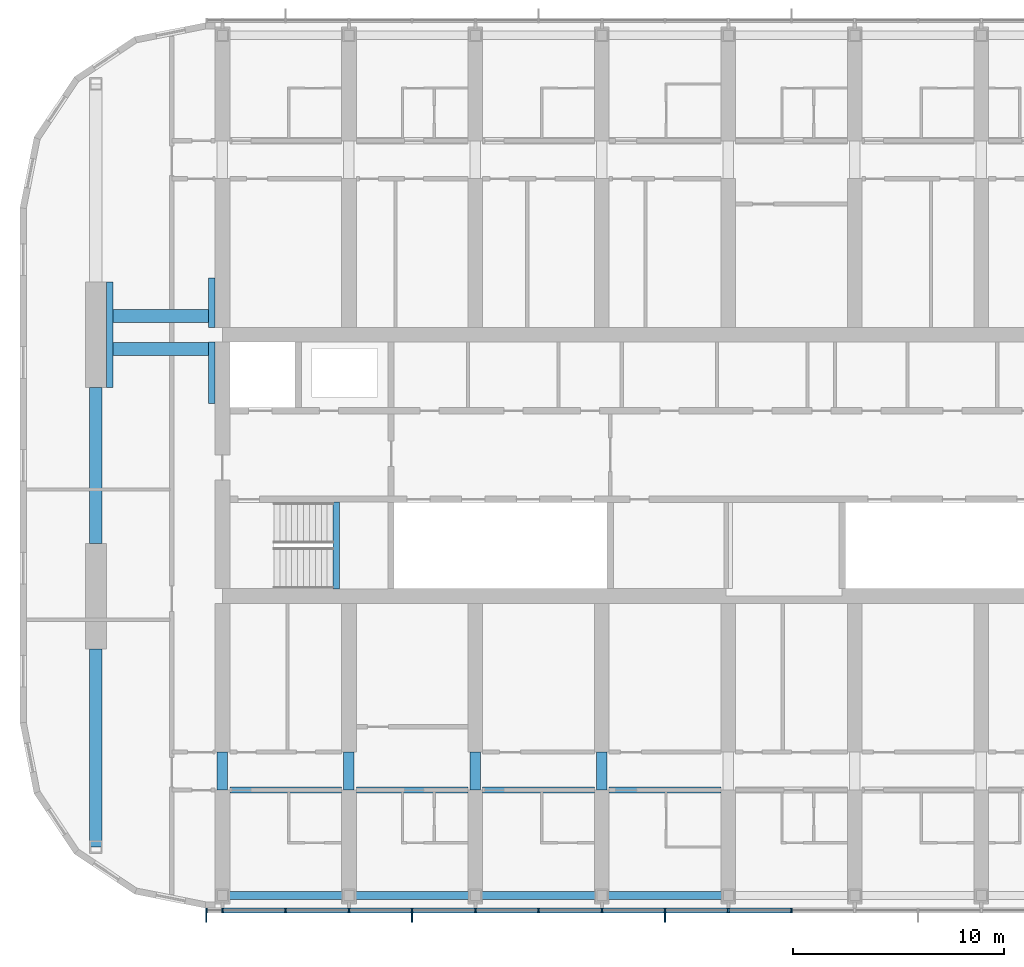
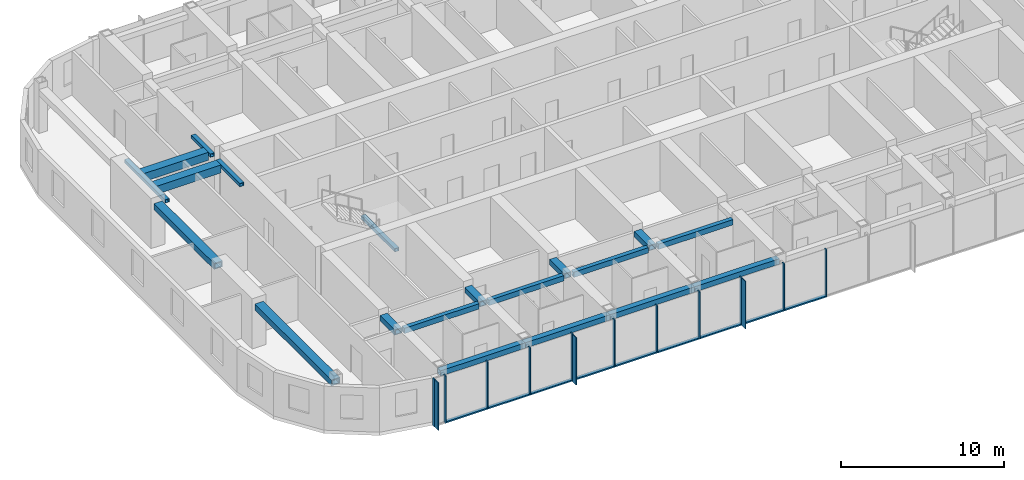
# One storey, part 2 of 23: 23 members, 20 beams, 1 element without a shape of its own.
"""IFC4 building model written with IfcOpenShell, lengths in metres."""

from ifc_helpers import new_model, si_unit, direction, frame, origin, origin_2d, place, context, subcontext, project, spatial, rectangle, hollow_rectangle, extrude, material, material_profile, profile_set, type_object, element, aggregate, save


model = new_model("IFC4")

# Units and contexts
model_context = context("Model", 3, precision=1e-05, world=origin(), true_north=direction((0.0, 1.0)))
body_context = subcontext(model_context, "Body", "Model", "MODEL_VIEW")
ifc_project = project(units=[si_unit("LENGTHUNIT", "METRE"), si_unit("AREAUNIT", "SQUARE_METRE"), si_unit("VOLUMEUNIT", "CUBIC_METRE"), si_unit("PLANEANGLEUNIT", "RADIAN"), si_unit("MASSUNIT", "GRAM", prefix="KILO")], contexts=[model_context])

# Site, building, storey
site_placement = place(None, origin())
site = spatial("IfcSite", under=ifc_project, at=site_placement, CompositionType="ELEMENT")
building_placement = place(site_placement, origin())
building = spatial("IfcBuilding", under=site, at=building_placement, Name="Orbita Commons", CompositionType="ELEMENT")
storey_placement = place(building_placement, frame((0.0, 0.0, 212.800048828125)))
storey = spatial("IfcBuildingStorey", under=building, at=storey_placement, Name="L52", CompositionType="ELEMENT", Elevation=212.800048828125)

# Curtain wall, members
ifc_material_1 = material(Name="Anodised aluminium frame, pale silver", Category="aluminium")
curtain_wall_type = type_object("IfcCurtainWallType", Name="Unitised curtain wall CW-U, full-height vision", PredefinedType="NOTDEFINED", material=ifc_material_1)
curtain_wall_placement = place(storey_placement, origin())
curtain_wall = element("IfcCurtainWall", 1, at=curtain_wall_placement, inside=storey, type_object=curtain_wall_type, Name="Curtain wall south L52", PredefinedType="NOTDEFINED")
ifc_material_2 = material(Name="Anodised aluminium, pale silver", Category="aluminium")
ifc_material_profile_1 = material_profile(ifc_material_2, rectangle(XDim=0.080078125, YDim=0.219970703125, at=origin_2d()), Name="AL 80x220")
ifc_profile_set_1 = profile_set([ifc_material_profile_1], Name="Anodised aluminium, pale silver")
member_type_1 = type_object("IfcMemberType", Name="Curtain wall mullion 80x220", PredefinedType="MULLION", material=ifc_profile_set_1)
member_1_placement = place(storey_placement, frame((17.239990234375, 10.889892578125, -0.25), z_axis=(0.0, 0.0, 1.0), x_axis=(1.0, 0.0, 0.0)))
member_1 = element("IfcMember", 2, at=member_1_placement, type_object=member_type_1, Name="Mullion 1 CW-L52-S", PredefinedType="MULLION", context=body_context, shape_type="SweptSolid", body=[
    extrude(rectangle(XDim=0.080078125, YDim=0.219970703125, at=origin_2d()), origin(), (0.0, 0.0, 1.0), 3.550048828125),
])
member_2_placement = place(storey_placement, frame((18.0, 10.889892578125, -0.25), z_axis=(0.0, 0.0, 1.0), x_axis=(1.0, 0.0, 0.0)))
member_2 = element("IfcMember", 3, at=member_2_placement, type_object=member_type_1, Name="Mullion 2 CW-L52-S", PredefinedType="MULLION", context=body_context, shape_type="SweptSolid", body=[
    extrude(rectangle(XDim=0.080078125, YDim=0.219970703125, at=origin_2d()), origin(), (0.0, 0.0, 1.0), 3.550048828125),
])
member_3_placement = place(storey_placement, frame((21.0, 10.889892578125, -0.25), z_axis=(0.0, 0.0, 1.0), x_axis=(1.0, 0.0, 0.0)))
member_3 = element("IfcMember", 4, at=member_3_placement, type_object=member_type_1, Name="Mullion 3 CW-L52-S", PredefinedType="MULLION", context=body_context, shape_type="SweptSolid", body=[
    extrude(rectangle(XDim=0.080078125, YDim=0.219970703125, at=origin_2d()), origin(), (0.0, 0.0, 1.0), 3.550048828125),
])
member_4_placement = place(storey_placement, frame((24.0, 10.889892578125, -0.25), z_axis=(0.0, 0.0, 1.0), x_axis=(1.0, 0.0, 0.0)))
member_4 = element("IfcMember", 5, at=member_4_placement, type_object=member_type_1, Name="Mullion 4 CW-L52-S", PredefinedType="MULLION", context=body_context, shape_type="SweptSolid", body=[
    extrude(rectangle(XDim=0.080078125, YDim=0.219970703125, at=origin_2d()), origin(), (0.0, 0.0, 1.0), 3.550048828125),
])
member_5_placement = place(storey_placement, frame((27.0, 10.889892578125, -0.25), z_axis=(0.0, 0.0, 1.0), x_axis=(1.0, 0.0, 0.0)))
member_5 = element("IfcMember", 6, at=member_5_placement, type_object=member_type_1, Name="Mullion 5 CW-L52-S", PredefinedType="MULLION", context=body_context, shape_type="SweptSolid", body=[
    extrude(rectangle(XDim=0.080078125, YDim=0.219970703125, at=origin_2d()), origin(), (0.0, 0.0, 1.0), 3.550048828125),
])
member_6_placement = place(storey_placement, frame((30.0, 10.889892578125, -0.25), z_axis=(0.0, 0.0, 1.0), x_axis=(1.0, 0.0, 0.0)))
member_6 = element("IfcMember", 7, at=member_6_placement, type_object=member_type_1, Name="Mullion 6 CW-L52-S", PredefinedType="MULLION", context=body_context, shape_type="SweptSolid", body=[
    extrude(rectangle(XDim=0.080078125, YDim=0.219970703125, at=origin_2d()), origin(), (0.0, 0.0, 1.0), 3.550048828125),
])
member_7_placement = place(storey_placement, frame((33.0, 10.889892578125, -0.25), z_axis=(0.0, 0.0, 1.0), x_axis=(1.0, 0.0, 0.0)))
member_7 = element("IfcMember", 8, at=member_7_placement, type_object=member_type_1, Name="Mullion 7 CW-L52-S", PredefinedType="MULLION", context=body_context, shape_type="SweptSolid", body=[
    extrude(rectangle(XDim=0.080078125, YDim=0.219970703125, at=origin_2d()), origin(), (0.0, 0.0, 1.0), 3.550048828125),
])
member_8_placement = place(storey_placement, frame((36.0, 10.889892578125, -0.25), z_axis=(0.0, 0.0, 1.0), x_axis=(1.0, 0.0, 0.0)))
member_8 = element("IfcMember", 9, at=member_8_placement, type_object=member_type_1, Name="Mullion 8 CW-L52-S", PredefinedType="MULLION", context=body_context, shape_type="SweptSolid", body=[
    extrude(rectangle(XDim=0.080078125, YDim=0.219970703125, at=origin_2d()), origin(), (0.0, 0.0, 1.0), 3.550048828125),
])
member_9_placement = place(storey_placement, frame((39.0, 10.889892578125, -0.25), z_axis=(0.0, 0.0, 1.0), x_axis=(1.0, 0.0, 0.0)))
member_9 = element("IfcMember", 10, at=member_9_placement, type_object=member_type_1, Name="Mullion 9 CW-L52-S", PredefinedType="MULLION", context=body_context, shape_type="SweptSolid", body=[
    extrude(rectangle(XDim=0.080078125, YDim=0.219970703125, at=origin_2d()), origin(), (0.0, 0.0, 1.0), 3.550048828125),
])
member_10_placement = place(storey_placement, frame((42.0, 10.889892578125, -0.25), z_axis=(0.0, 0.0, 1.0), x_axis=(1.0, 0.0, 0.0)))
member_10 = element("IfcMember", 11, at=member_10_placement, type_object=member_type_1, Name="Mullion 10 CW-L52-S", PredefinedType="MULLION", context=body_context, shape_type="SweptSolid", body=[
    extrude(rectangle(XDim=0.080078125, YDim=0.219970703125, at=origin_2d()), origin(), (0.0, 0.0, 1.0), 3.550048828125),
])
member_11_placement = place(storey_placement, frame((45.0, 10.889892578125, -0.25), z_axis=(0.0, 0.0, 1.0), x_axis=(1.0, 0.0, 0.0)))
member_11 = element("IfcMember", 12, at=member_11_placement, type_object=member_type_1, Name="Mullion 11 CW-L52-S", PredefinedType="MULLION", context=body_context, shape_type="SweptSolid", body=[
    extrude(rectangle(XDim=0.080078125, YDim=0.219970703125, at=origin_2d()), origin(), (0.0, 0.0, 1.0), 3.550048828125),
])
ifc_material_3 = material(Name="Anodised aluminium, pale silver", Category="aluminium")
ifc_material_profile_2 = material_profile(ifc_material_3, rectangle(XDim=0.219970703125, YDim=0.10009765625, at=origin_2d()), Name="AL 220x100")
ifc_profile_set_2 = profile_set([ifc_material_profile_2], Name="Anodised aluminium, pale silver")
member_type_2 = type_object("IfcMemberType", Name="Curtain wall stack transom 220x100", PredefinedType="USERDEFINED", material=ifc_profile_set_2)
member_12_placement = place(storey_placement, frame((18.0400390625, 10.889892578125, -0.199951171875), z_axis=(1.0, 0.0, 0.0), x_axis=(0.0, 1.0, 0.0)))
member_12 = element("IfcMember", 13, at=member_12_placement, type_object=member_type_2, Name="Transom 2.1 CW-L52-S", ObjectType="TRANSOM", PredefinedType="USERDEFINED", context=body_context, shape_type="SweptSolid", body=[
    extrude(rectangle(XDim=0.219970703125, YDim=0.10009765625, at=origin_2d()), origin(), (0.0, 0.0, 1.0), 2.919921875),
])
member_13_placement = place(storey_placement, frame((21.0400390625, 10.889892578125, -0.199951171875), z_axis=(1.0, 0.0, 0.0), x_axis=(0.0, 1.0, 0.0)))
member_13 = element("IfcMember", 14, at=member_13_placement, type_object=member_type_2, Name="Transom 3.1 CW-L52-S", ObjectType="TRANSOM", PredefinedType="USERDEFINED", context=body_context, shape_type="SweptSolid", body=[
    extrude(rectangle(XDim=0.219970703125, YDim=0.10009765625, at=origin_2d()), origin(), (0.0, 0.0, 1.0), 2.919921875),
])
member_14_placement = place(storey_placement, frame((24.0400390625, 10.889892578125, -0.199951171875), z_axis=(1.0, 0.0, 0.0), x_axis=(0.0, 1.0, 0.0)))
member_14 = element("IfcMember", 15, at=member_14_placement, type_object=member_type_2, Name="Transom 4.1 CW-L52-S", ObjectType="TRANSOM", PredefinedType="USERDEFINED", context=body_context, shape_type="SweptSolid", body=[
    extrude(rectangle(XDim=0.219970703125, YDim=0.10009765625, at=origin_2d()), origin(), (0.0, 0.0, 1.0), 2.919921875),
])
member_15_placement = place(storey_placement, frame((27.0400390625, 10.889892578125, -0.199951171875), z_axis=(1.0, 0.0, 0.0), x_axis=(0.0, 1.0, 0.0)))
member_15 = element("IfcMember", 16, at=member_15_placement, type_object=member_type_2, Name="Transom 5.1 CW-L52-S", ObjectType="TRANSOM", PredefinedType="USERDEFINED", context=body_context, shape_type="SweptSolid", body=[
    extrude(rectangle(XDim=0.219970703125, YDim=0.10009765625, at=origin_2d()), origin(), (0.0, 0.0, 1.0), 2.919921875),
])
member_16_placement = place(storey_placement, frame((30.0400390625, 10.889892578125, -0.199951171875), z_axis=(1.0, 0.0, 0.0), x_axis=(0.0, 1.0, 0.0)))
member_16 = element("IfcMember", 17, at=member_16_placement, type_object=member_type_2, Name="Transom 6.1 CW-L52-S", ObjectType="TRANSOM", PredefinedType="USERDEFINED", context=body_context, shape_type="SweptSolid", body=[
    extrude(rectangle(XDim=0.219970703125, YDim=0.10009765625, at=origin_2d()), origin(), (0.0, 0.0, 1.0), 2.919921875),
])
member_17_placement = place(storey_placement, frame((33.0400390625, 10.889892578125, -0.199951171875), z_axis=(1.0, 0.0, 0.0), x_axis=(0.0, 1.0, 0.0)))
member_17 = element("IfcMember", 18, at=member_17_placement, type_object=member_type_2, Name="Transom 7.1 CW-L52-S", ObjectType="TRANSOM", PredefinedType="USERDEFINED", context=body_context, shape_type="SweptSolid", body=[
    extrude(rectangle(XDim=0.219970703125, YDim=0.10009765625, at=origin_2d()), origin(), (0.0, 0.0, 1.0), 2.919921875),
])
member_18_placement = place(storey_placement, frame((36.0400390625, 10.889892578125, -0.199951171875), z_axis=(1.0, 0.0, 0.0), x_axis=(0.0, 1.0, 0.0)))
member_18 = element("IfcMember", 19, at=member_18_placement, type_object=member_type_2, Name="Transom 8.1 CW-L52-S", ObjectType="TRANSOM", PredefinedType="USERDEFINED", context=body_context, shape_type="SweptSolid", body=[
    extrude(rectangle(XDim=0.219970703125, YDim=0.10009765625, at=origin_2d()), origin(), (0.0, 0.0, 1.0), 2.919921875),
])
member_19_placement = place(storey_placement, frame((39.0400390625, 10.889892578125, -0.199951171875), z_axis=(1.0, 0.0, 0.0), x_axis=(0.0, 1.0, 0.0)))
member_19 = element("IfcMember", 20, at=member_19_placement, type_object=member_type_2, Name="Transom 9.1 CW-L52-S", ObjectType="TRANSOM", PredefinedType="USERDEFINED", context=body_context, shape_type="SweptSolid", body=[
    extrude(rectangle(XDim=0.219970703125, YDim=0.10009765625, at=origin_2d()), origin(), (0.0, 0.0, 1.0), 2.919921875),
])
member_20_placement = place(storey_placement, frame((42.0400390625, 10.889892578125, -0.199951171875), z_axis=(1.0, 0.0, 0.0), x_axis=(0.0, 1.0, 0.0)))
member_20 = element("IfcMember", 21, at=member_20_placement, type_object=member_type_2, Name="Transom 10.1 CW-L52-S", ObjectType="TRANSOM", PredefinedType="USERDEFINED", context=body_context, shape_type="SweptSolid", body=[
    extrude(rectangle(XDim=0.219970703125, YDim=0.10009765625, at=origin_2d()), origin(), (0.0, 0.0, 1.0), 2.919921875),
])

# Beams
ifc_material_4 = material(Name="Steel ASTM A572 Gr 50 welded plate", Category="steel")
ifc_material_profile_3 = material_profile(ifc_material_4, hollow_rectangle(XDim=0.300048828125, YDim=0.25, WallThickness=0.02490234375, at=origin_2d()), Name="BOX 250x300x25")
ifc_profile_set_3 = profile_set([ifc_material_profile_3], Name="Steel ASTM A572 Gr 50 welded plate")
beam_type_1 = type_object("IfcBeamType", Name="Stair landing beam steel BOX 250x300x25", PredefinedType="BEAM", material=ifc_profile_set_3)
beam_1_placement = place(storey_placement, frame((23.39990234375, 26.135009765625, 1.550048828125), z_axis=(0.0, 1.0, 0.0), x_axis=(-1.0, 0.0, 0.0)))
element("IfcBeam", 22, at=beam_1_placement, inside=storey, type_object=beam_type_1, Name="Stair S1 landing beam L52 1", PredefinedType="BEAM", context=body_context, shape_type="SweptSolid", body=[
    extrude(hollow_rectangle(XDim=0.300048828125, YDim=0.25, WallThickness=0.02490234375, at=origin_2d()), origin(), (0.0, 0.0, 1.0), 4.1298828125),
])
ifc_material_5 = material(Name="Steel ASTM A572 Gr 50 welded plate", Category="steel")
ifc_material_profile_4 = material_profile(ifc_material_5, hollow_rectangle(XDim=0.60009765625, YDim=0.60009765625, WallThickness=0.06005859375, at=origin_2d()), Name="BOX 600x600x60")
ifc_profile_set_4 = profile_set([ifc_material_profile_4], Name="Steel ASTM A572 Gr 50 welded plate")
beam_type_2 = type_object("IfcBeamType", Name="Stair trimmer beam BOX 600x600x60", PredefinedType="BEAM", material=ifc_profile_set_4)
for number, where, z_axis, x_axis, name in (
    (23, (12.800048828125, 37.52490234375, 3.0), (1.0, 0.0, 0.0), (0.0, 1.0, 0.0), "Neighbourhood stair L53 to L54 transfer beam 1"),
    (24, (12.800048828125, 39.0849609375, 3.0), (1.0, 0.0, 0.0), (0.0, 1.0, 0.0), "Neighbourhood stair L53 to L54 transfer beam 2"),
):
    element("IfcBeam", number, at=place(storey_placement, frame(where, z_axis=z_axis, x_axis=x_axis)), inside=storey, type_object=beam_type_2, Name=name, PredefinedType="BEAM", context=body_context, shape_type="SweptSolid", body=[
        extrude(hollow_rectangle(XDim=0.60009765625, YDim=0.60009765625, WallThickness=0.06005859375, at=origin_2d()), origin(), (0.0, 0.0, 1.0), 4.550048828125),
    ])
ifc_material_6 = material(Name="Steel ASTM A572 Gr 50 welded plate", Category="steel")
ifc_material_profile_5 = material_profile(ifc_material_6, hollow_rectangle(XDim=0.300048828125, YDim=0.39990234375, WallThickness=0.0400390625, at=origin_2d()), Name="BOX 400x300x40")
ifc_profile_set_5 = profile_set([ifc_material_profile_5], Name="Steel ASTM A572 Gr 50 welded plate")
beam_type_3 = type_object("IfcBeamType", Name="Steel corridor link BOX 400x300x40", PredefinedType="BEAM", material=ifc_profile_set_5)
for number, where, z_axis, x_axis, name in (
    (25, (18.35009765625, 16.60009765625, 3.099853515625), (1.0, 0.0, 0.0), (0.0, 1.0, 0.0), "Corridor beam SA 4-5 L52"),
    (26, (24.35009765625, 16.60009765625, 3.099853515625), (1.0, 0.0, 0.0), (0.0, 1.0, 0.0), "Corridor beam SA 5-6 L52"),
    (27, (30.35009765625, 16.60009765625, 3.099853515625), (1.0, 0.0, 0.0), (0.0, 1.0, 0.0), "Corridor beam SA 6-7 L52"),
    (28, (36.35009765625, 16.60009765625, 3.099853515625), (1.0, 0.0, 0.0), (0.0, 1.0, 0.0), "Corridor beam SA 7-8 L52"),
):
    element("IfcBeam", number, at=place(storey_placement, frame(where, z_axis=z_axis, x_axis=x_axis)), inside=storey, type_object=beam_type_3, Name=name, PredefinedType="BEAM", context=body_context, shape_type="SweptSolid", body=[
        extrude(hollow_rectangle(XDim=0.300048828125, YDim=0.39990234375, WallThickness=0.0400390625, at=origin_2d()), origin(), (0.0, 0.0, 1.0), 5.2998046875),
    ])
ifc_material_7 = material(Name="Steel ASTM A572 Gr 50 welded plate", Category="steel")
ifc_material_profile_6 = material_profile(ifc_material_7, hollow_rectangle(XDim=0.5, YDim=0.39990234375, WallThickness=0.050048828125, at=origin_2d()), Name="BOX 400x500x50")
ifc_profile_set_6 = profile_set([ifc_material_profile_6], Name="Steel ASTM A572 Gr 50 welded plate")
beam_type_4 = type_object("IfcBeamType", Name="Steel coupling link BOX 400x500x50", PredefinedType="LINTEL", material=ifc_profile_set_6)
for number, where, z_axis, x_axis, name in (
    (29, (18.0, 16.60009765625, 3.099853515625), (0.0, 1.0, 0.0), (-1.0, 0.0, 0.0), "Coupling beam 4 south L52"),
    (30, (24.0, 16.60009765625, 3.099853515625), (0.0, 1.0, 0.0), (-1.0, 0.0, 0.0), "Coupling beam 5 south L52"),
    (31, (30.0, 16.60009765625, 3.099853515625), (0.0, 1.0, 0.0), (-1.0, 0.0, 0.0), "Coupling beam 6 south L52"),
    (32, (36.0, 16.60009765625, 3.099853515625), (0.0, 1.0, 0.0), (-1.0, 0.0, 0.0), "Coupling beam 7 south L52"),
):
    element("IfcBeam", number, at=place(storey_placement, frame(where, z_axis=z_axis, x_axis=x_axis)), inside=storey, type_object=beam_type_4, Name=name, PredefinedType="LINTEL", context=body_context, shape_type="SweptSolid", body=[
        extrude(hollow_rectangle(XDim=0.5, YDim=0.39990234375, WallThickness=0.050048828125, at=origin_2d()), origin(), (0.0, 0.0, 1.0), 1.7998046875),
    ])
ifc_material_8 = material(Name="Steel ASTM A572 Gr 50 welded plate", Category="steel")
ifc_material_profile_7 = material_profile(ifc_material_8, hollow_rectangle(XDim=0.60009765625, YDim=0.449951171875, WallThickness=0.06005859375, at=origin_2d()), Name="BOX 450x600x60")
ifc_profile_set_7 = profile_set([ifc_material_profile_7], Name="Steel ASTM A572 Gr 50 welded plate")
beam_type_5 = type_object("IfcBeamType", Name="Steel end frame link BOX 450x600x60", PredefinedType="BEAM", material=ifc_profile_set_7)
beam_2_placement = place(storey_placement, frame((12.0, 13.89990234375, 3.074951171875), z_axis=(0.0, 1.0, 0.0), x_axis=(-1.0, 0.0, 0.0)))
element("IfcBeam", 33, at=beam_2_placement, inside=storey, type_object=beam_type_5, Name="End frame beam 3 B-C L52", PredefinedType="BEAM", context=body_context, shape_type="SweptSolid", body=[
    extrude(hollow_rectangle(XDim=0.60009765625, YDim=0.449951171875, WallThickness=0.06005859375, at=origin_2d()), origin(), (0.0, 0.0, 1.0), 9.400146484375),
])
beam_3_placement = place(storey_placement, frame((12.0, 28.300048828125, 3.074951171875), z_axis=(0.0, 1.0, 0.0), x_axis=(-1.0, 0.0, 0.0)))
element("IfcBeam", 34, at=beam_3_placement, inside=storey, type_object=beam_type_5, Name="End frame beam 3 C-D L52", PredefinedType="BEAM", context=body_context, shape_type="SweptSolid", body=[
    extrude(hollow_rectangle(XDim=0.60009765625, YDim=0.449951171875, WallThickness=0.06005859375, at=origin_2d()), origin(), (0.0, 0.0, 1.0), 7.39990234375),
])
ifc_material_9 = material(Name="Steel ASTM A572 Gr 50 welded plate", Category="steel")
ifc_material_profile_8 = material_profile(ifc_material_9, hollow_rectangle(XDim=0.39990234375, YDim=0.39990234375, WallThickness=0.0400390625, at=origin_2d()), Name="BOX 400x400x40")
ifc_profile_set_8 = profile_set([ifc_material_profile_8], Name="Steel ASTM A572 Gr 50 welded plate")
beam_type_6 = type_object("IfcBeamType", Name="Steel spandrel BOX 400x400x40", PredefinedType="SPANDREL", material=ifc_profile_set_8)
for number, where, z_axis, x_axis, name in (
    (35, (18.0, 11.60009765625, 3.099853515625), (1.0, 0.0, 0.0), (0.0, 1.0, 0.0), "Spandrel beam B 4-5 L52"),
    (36, (24.0, 11.60009765625, 3.099853515625), (1.0, 0.0, 0.0), (0.0, 1.0, 0.0), "Spandrel beam B 5-6 L52"),
    (37, (30.0, 11.60009765625, 3.099853515625), (1.0, 0.0, 0.0), (0.0, 1.0, 0.0), "Spandrel beam B 6-7 L52"),
    (38, (36.0, 11.60009765625, 3.099853515625), (1.0, 0.0, 0.0), (0.0, 1.0, 0.0), "Spandrel beam B 7-8 L52"),
):
    element("IfcBeam", number, at=place(storey_placement, frame(where, z_axis=z_axis, x_axis=x_axis)), inside=storey, type_object=beam_type_6, Name=name, PredefinedType="SPANDREL", context=body_context, shape_type="SweptSolid", body=[
        extrude(hollow_rectangle(XDim=0.39990234375, YDim=0.39990234375, WallThickness=0.0400390625, at=origin_2d()), origin(), (0.0, 0.0, 1.0), 6.0),
    ])
ifc_material_10 = material(Name="Steel ASTM A572 Gr 50 welded plate", Category="steel")
ifc_material_profile_9 = material_profile(ifc_material_10, hollow_rectangle(XDim=0.300048828125, YDim=0.25, WallThickness=0.02490234375, at=origin_2d()), Name="BOX 250x300x25")
ifc_profile_set_9 = profile_set([ifc_material_profile_9], Name="Steel ASTM A572 Gr 50 welded plate")
beam_type_7 = type_object("IfcBeamType", Name="Trimmer ledger beam BOX 250x300x25", PredefinedType="BEAM", material=ifc_profile_set_9)
beam_4_placement = place(storey_placement, frame((12.64990234375, 35.699951171875, 3.175048828125), z_axis=(0.0, 1.0, 0.0), x_axis=(-1.0, 0.0, 0.0)))
element("IfcBeam", 39, at=beam_4_placement, inside=storey, type_object=beam_type_7, Name="Neighbourhood stair L53 to L54 trimmer ledger 1W", PredefinedType="BEAM", context=body_context, shape_type="SweptSolid", body=[
    extrude(hollow_rectangle(XDim=0.300048828125, YDim=0.25, WallThickness=0.02490234375, at=origin_2d()), origin(), (0.0, 0.0, 1.0), 5.0),
])
beam_5_placement = place(storey_placement, frame((17.5, 34.925048828125, 3.175048828125), z_axis=(0.0, 1.0, 0.0), x_axis=(-1.0, 0.0, 0.0)))
element("IfcBeam", 40, at=beam_5_placement, inside=storey, type_object=beam_type_7, Name="Neighbourhood stair L53 to L54 trimmer ledger 1E", PredefinedType="BEAM", context=body_context, shape_type="SweptSolid", body=[
    extrude(hollow_rectangle(XDim=0.300048828125, YDim=0.25, WallThickness=0.02490234375, at=origin_2d()), origin(), (0.0, 0.0, 1.0), 2.925048828125),
])
beam_6_placement = place(storey_placement, frame((17.5, 38.550048828125, 3.175048828125), z_axis=(0.0, 1.0, 0.0), x_axis=(-1.0, 0.0, 0.0)))
element("IfcBeam", 41, at=beam_6_placement, inside=storey, type_object=beam_type_7, Name="Neighbourhood stair L53 to L54 trimmer ledger 2E", PredefinedType="BEAM", context=body_context, shape_type="SweptSolid", body=[
    extrude(hollow_rectangle(XDim=0.300048828125, YDim=0.25, WallThickness=0.02490234375, at=origin_2d()), origin(), (0.0, 0.0, 1.0), 2.349853515625),
])

# Member
ifc_material_11 = material(Name="Anodised aluminium, pale silver", Category="aluminium")
ifc_material_profile_10 = material_profile(ifc_material_11, rectangle(XDim=0.06005859375, YDim=0.449951171875, at=origin_2d()), Name="FIN 60x450")
ifc_profile_set_10 = profile_set([ifc_material_profile_10], Name="Anodised aluminium, pale silver")
member_type_3 = type_object("IfcMemberType", Name="Vertical fin 60x450 pale aluminium", PredefinedType="USERDEFINED", material=ifc_profile_set_10)
member_21_placement = place(storey_placement, frame((17.239990234375, 10.554931640625, -0.25), z_axis=(0.0, 0.0, 1.0), x_axis=(1.0, 0.0, 0.0)))
member_21 = element("IfcMember", 42, at=member_21_placement, type_object=member_type_3, Name="Fin 1 CW-L52-S", ObjectType="FIN", PredefinedType="USERDEFINED", context=body_context, shape_type="SweptSolid", body=[
    extrude(rectangle(XDim=0.06005859375, YDim=0.449951171875, at=origin_2d()), origin(), (0.0, 0.0, 1.0), 3.550048828125),
])

member_22_placement = place(storey_placement, frame((27.0, 10.554931640625, -0.25), z_axis=(0.0, 0.0, 1.0), x_axis=(1.0, 0.0, 0.0)))
member_22 = element("IfcMember", 43, at=member_22_placement, type_object=member_type_3, Name="Fin 5 CW-L52-S", ObjectType="FIN", PredefinedType="USERDEFINED", context=body_context, shape_type="SweptSolid", body=[
    extrude(rectangle(XDim=0.06005859375, YDim=0.449951171875, at=origin_2d()), origin(), (0.0, 0.0, 1.0), 3.550048828125),
])

member_23_placement = place(storey_placement, frame((39.0, 10.554931640625, -0.25), z_axis=(0.0, 0.0, 1.0), x_axis=(1.0, 0.0, 0.0)))
member_23 = element("IfcMember", 44, at=member_23_placement, type_object=member_type_3, Name="Fin 9 CW-L52-S", ObjectType="FIN", PredefinedType="USERDEFINED", context=body_context, shape_type="SweptSolid", body=[
    extrude(rectangle(XDim=0.06005859375, YDim=0.449951171875, at=origin_2d()), origin(), (0.0, 0.0, 1.0), 3.550048828125),
])

aggregate(curtain_wall, [member_1, member_21, member_2, member_3, member_4, member_5, member_22, member_6, member_7, member_8, member_9, member_23, member_10, member_11, member_12, member_13, member_14, member_15, member_16, member_17, member_18, member_19, member_20])

save(model, "model.ifc")
